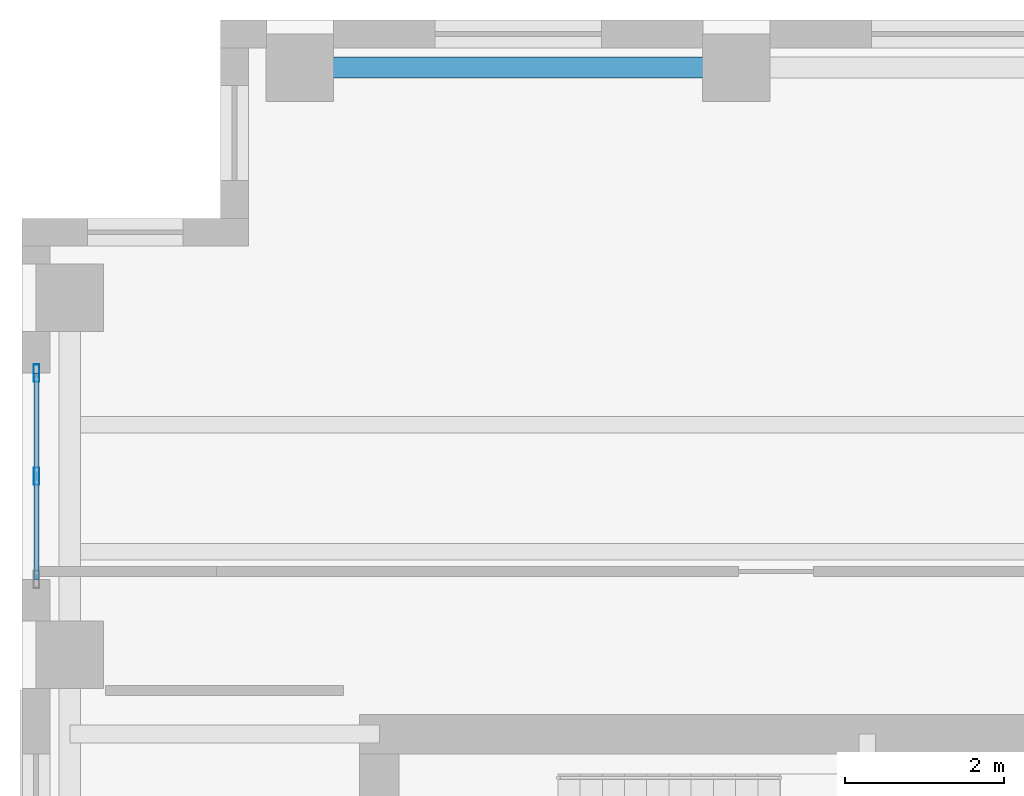
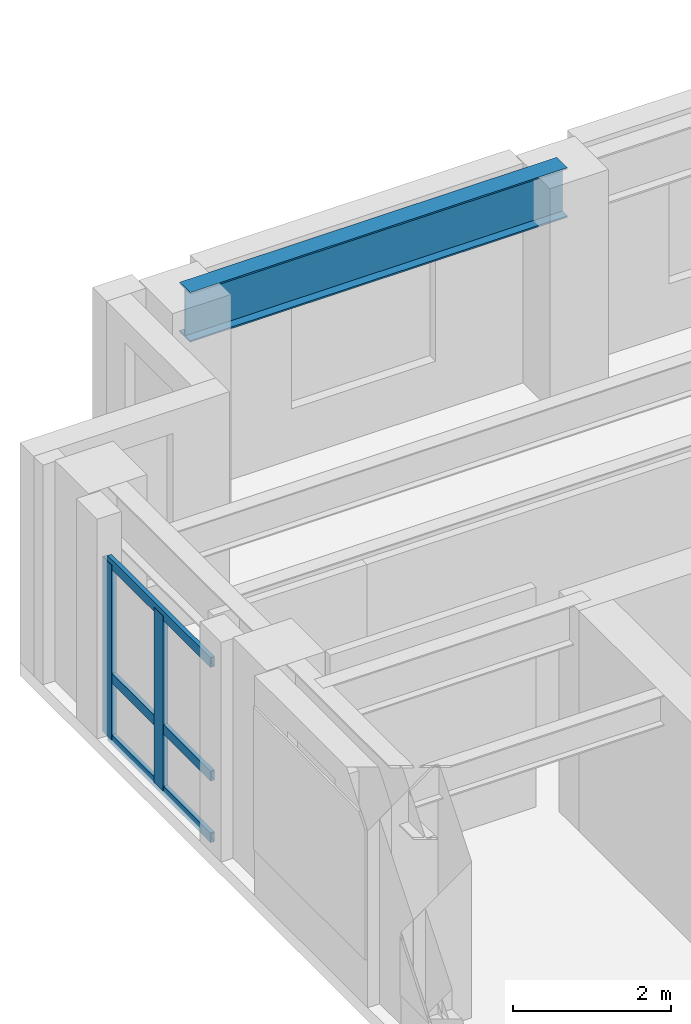
# One storey, part 4 of 12: 5 members, 1 beam, 1 element without a shape of its own.
"""IFC4 building model written with IfcOpenShell, lengths in metres."""

from ifc_helpers import new_model, si_unit, direction, frame, origin, origin_2d, place, context, subcontext, project, spatial, hollow_rectangle, i_section, extrude, source, transform, mapped, material, layer, layer_set, material_profile, profile_set, type_object, element, aggregate, save


model = new_model("IFC4")

# Units and contexts
model_context = context("Model", 3, precision=1e-05, world=origin(), true_north=direction((0.0, 1.0)))
body_context = subcontext(model_context, "Body", "Model", "MODEL_VIEW")
ifc_project = project(units=[si_unit("LENGTHUNIT", "METRE"), si_unit("AREAUNIT", "SQUARE_METRE"), si_unit("VOLUMEUNIT", "CUBIC_METRE"), si_unit("PLANEANGLEUNIT", "RADIAN"), si_unit("MASSUNIT", "GRAM", prefix="KILO")], contexts=[model_context])

# Site, building, storey
site_placement = place(None, origin())
site = spatial("IfcSite", under=ifc_project, at=site_placement, CompositionType="ELEMENT")
building_placement = place(site_placement, origin())
building = spatial("IfcBuilding", under=site, at=building_placement, Name="Kharzan Plaza Tower", CompositionType="ELEMENT")
storey_placement = place(building_placement, frame((0.0, 0.0, 255.60009765625)))
storey = spatial("IfcBuildingStorey", under=building, at=storey_placement, Name="L69", CompositionType="ELEMENT", Elevation=255.60009765625)

# Curtain wall, members
ifc_material_1 = material(Name="Unitised Bronze-Anodized Aluminium and Low-E Glass", Category="aluminium")
ifc_layer = layer(ifc_material_1, 0.199951171875)
ifc_layer_set = layer_set([ifc_layer], Name="Unitised Bronze-Anodized Aluminium and Low-E Glass")
curtain_wall_type = type_object("IfcCurtainWallType", Name="CW-EXEC-5", PredefinedType="NOTDEFINED", material=ifc_layer_set)
curtain_wall_placement = place(storey_placement, origin())
curtain_wall = element("IfcCurtainWall", 1, at=curtain_wall_placement, inside=storey, type_object=curtain_wall_type, Name="L69 Upper Executive Setback Panoramic Curtain Wall", PredefinedType="NOTDEFINED")
ifc_material_2 = material(Name="Anodized Bronze Aluminium", Category="aluminium")
ifc_material_profile_1 = material_profile(ifc_material_2, hollow_rectangle(XDim=0.074951171875, YDim=0.219970703125, WallThickness=0.00390625, at=origin_2d()), Name="ALU-M220x75x4")
ifc_profile_set_1 = profile_set([ifc_material_profile_1], Name="Anodized Bronze Aluminium")
member_type_1 = type_object("IfcMemberType", Name="MEM-CW-MUL200", PredefinedType="MULLION", material=ifc_profile_set_1)
shared_shape_1 = source(origin(), body_context, "Body", "SweptSolid", [
    extrude(hollow_rectangle(XDim=0.074951171875, YDim=0.219970703125, WallThickness=0.00390625, at=origin_2d()), origin(), (0.0, 0.0, 1.0), 2.699951171875),
])
member_1_placement = place(storey_placement, frame((0.179931640625, 32.75, 0.0), z_axis=(0.0, 0.0, 1.0), x_axis=(1.0, 0.0, 0.0)))
member_1 = element("IfcMember", 2, at=member_1_placement, type_object=member_type_1, Name="L69 Curtain-Wall Mullion 01", PredefinedType="MULLION", context=body_context, shape_type="MappedRepresentation", body=[
    mapped(shared_shape_1, transform((0.0, 0.0, 0.0), x_axis=(1.0, 0.0, 0.0), y_axis=(0.0, 1.0, 0.0), z_axis=(0.0, 0.0, 1.0))),
])
member_2_placement = place(storey_placement, frame((0.179931640625, 34.050048828125, 0.0), z_axis=(0.0, 0.0, 1.0), x_axis=(1.0, 0.0, 0.0)))
member_2 = element("IfcMember", 3, at=member_2_placement, type_object=member_type_1, Name="L69 Curtain-Wall Mullion 02", PredefinedType="MULLION", context=body_context, shape_type="MappedRepresentation", body=[
    mapped(shared_shape_1, transform((0.0, 0.0, 0.0), x_axis=(1.0, 0.0, 0.0), y_axis=(0.0, 1.0, 0.0), z_axis=(0.0, 0.0, 1.0))),
])

# Beam
ifc_material_3 = material(Name="Steel S355", Category="steel")
ifc_material_profile_2 = material_profile(ifc_material_3, i_section(OverallWidth=0.26708984375, OverallDepth=0.76611328125, WebThickness=0.014892578125, FlangeThickness=0.023681640625, at=origin_2d()), Name="W760x185")
ifc_profile_set_2 = profile_set([ifc_material_profile_2], Name="Steel S355")
beam_type = type_object("IfcBeamType", Name="BM-SP760B", PredefinedType="SPANDREL", material=ifc_profile_set_2)
shared_shape_2 = source(origin(), body_context, "Body", "SweptSolid", [
    extrude(i_section(OverallWidth=0.26708984375, OverallDepth=0.76611328125, WebThickness=0.014892578125, FlangeThickness=0.023681640625, at=origin_2d()), origin(), (0.0, 0.0, 1.0), 5.5),
])
beam_placement = place(storey_placement, frame((3.5, 37.89990234375, 3.016845703125), z_axis=(1.0, 0.0, 0.0), x_axis=(0.0, 1.0, 0.0)))
element("IfcBeam", 4, at=beam_placement, inside=storey, type_object=beam_type, Name="L69 Perimeter Tube Spandrel", PredefinedType="SPANDREL", context=body_context, shape_type="MappedRepresentation", body=[
    mapped(shared_shape_2, transform((0.0, 0.0, 0.0), x_axis=(1.0, 0.0, 0.0), y_axis=(0.0, 1.0, 0.0), z_axis=(0.0, 0.0, 1.0))),
])

# Member
ifc_material_profile_3 = material_profile(ifc_material_2, hollow_rectangle(XDim=0.06005859375, YDim=0.14990234375, WallThickness=0.00341796875, at=origin_2d()), Name="ALU-T150x60x3.5")
ifc_profile_set_3 = profile_set([ifc_material_profile_3], Name="Anodized Bronze Aluminium")
member_type_2 = type_object("IfcMemberType", Name="MEM-CW-TRN150", PredefinedType="USERDEFINED", material=ifc_profile_set_3)
shared_shape_3 = source(origin(), body_context, "Body", "SweptSolid", [
    extrude(hollow_rectangle(XDim=0.06005859375, YDim=0.14990234375, WallThickness=0.00341796875, at=origin_2d()), origin(), (0.0, 0.0, 1.0), 2.60009765625),
])
member_3_placement = place(storey_placement, frame((0.179931640625, 31.449951171875, 0.0), z_axis=(0.0, 1.0, 0.0), x_axis=(-1.0, 0.0, 0.0)))
member_3 = element("IfcMember", 5, at=member_3_placement, type_object=member_type_2, Name="L69 Curtain-Wall Transom 1", ObjectType="TRANSOM", PredefinedType="USERDEFINED", context=body_context, shape_type="MappedRepresentation", body=[
    mapped(shared_shape_3, transform((0.0, 0.0, 0.0), x_axis=(1.0, 0.0, 0.0), y_axis=(0.0, 1.0, 0.0), z_axis=(0.0, 0.0, 1.0))),
])

member_4_placement = place(storey_placement, frame((0.179931640625, 31.449951171875, 0.949951171875), z_axis=(0.0, 1.0, 0.0), x_axis=(-1.0, 0.0, 0.0)))
member_4 = element("IfcMember", 6, at=member_4_placement, type_object=member_type_2, Name="L69 Curtain-Wall Transom 2", ObjectType="TRANSOM", PredefinedType="USERDEFINED", context=body_context, shape_type="MappedRepresentation", body=[
    mapped(shared_shape_3, transform((0.0, 0.0, 0.0), x_axis=(1.0, 0.0, 0.0), y_axis=(0.0, 1.0, 0.0), z_axis=(0.0, 0.0, 1.0))),
])

member_5_placement = place(storey_placement, frame((0.179931640625, 31.449951171875, 2.699951171875), z_axis=(0.0, 1.0, 0.0), x_axis=(-1.0, 0.0, 0.0)))
member_5 = element("IfcMember", 7, at=member_5_placement, type_object=member_type_2, Name="L69 Curtain-Wall Transom 3", ObjectType="TRANSOM", PredefinedType="USERDEFINED", context=body_context, shape_type="MappedRepresentation", body=[
    mapped(shared_shape_3, transform((0.0, 0.0, 0.0), x_axis=(1.0, 0.0, 0.0), y_axis=(0.0, 1.0, 0.0), z_axis=(0.0, 0.0, 1.0))),
])

aggregate(curtain_wall, [member_1, member_2, member_3, member_4, member_5])

save(model, "model.ifc")
